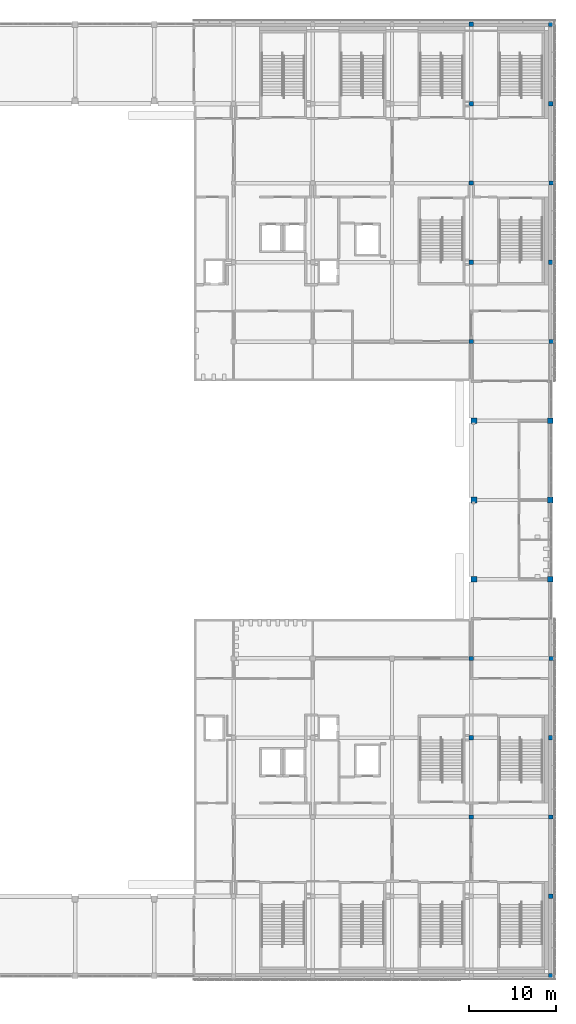
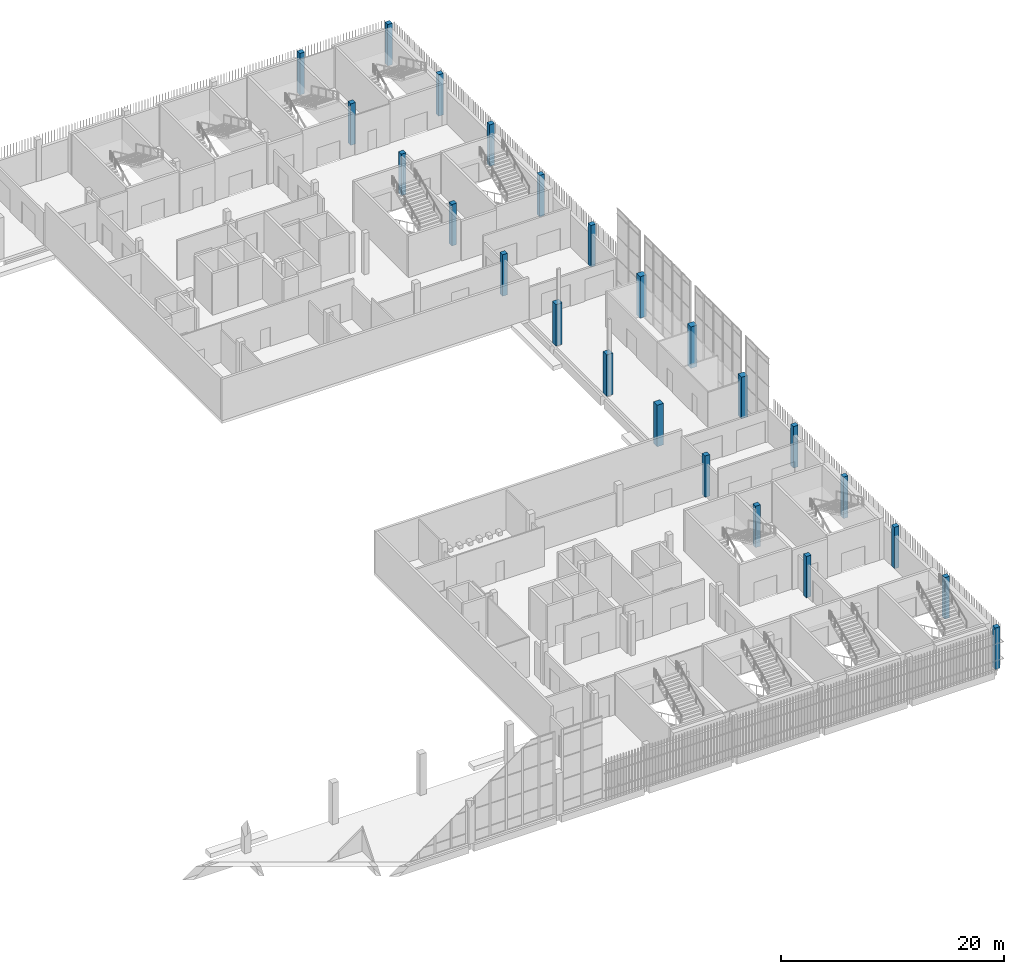
# One storey, part 2 of 91: 24 columns.
"""IFC4 building model written with IfcOpenShell, lengths in metres."""

from ifc_helpers import new_model, si_unit, direction, frame, origin, origin_2d, place, context, subcontext, project, spatial, rectangle, extrude, material, material_profile, profile_set, type_object, element, save


model = new_model("IFC4")

# Units and contexts
model_context = context("Model", 3, precision=1e-05, world=origin(), true_north=direction((0.0, 1.0)))
body_context = subcontext(model_context, "Body", "Model", "MODEL_VIEW")
ifc_project = project(units=[si_unit("LENGTHUNIT", "METRE"), si_unit("AREAUNIT", "SQUARE_METRE"), si_unit("VOLUMEUNIT", "CUBIC_METRE"), si_unit("PLANEANGLEUNIT", "RADIAN"), si_unit("MASSUNIT", "GRAM", prefix="KILO")], contexts=[model_context])

# Site, building, storey
site_placement = place(None, origin())
site = spatial("IfcSite", under=ifc_project, at=site_placement, CompositionType="ELEMENT")
building_placement = place(site_placement, origin())
building = spatial("IfcBuilding", under=site, at=building_placement, Name="Shirokan Park Arena", CompositionType="ELEMENT")
storey_placement = place(building_placement, frame((0.0, 0.0, 24.570068359375)))
storey = spatial("IfcBuildingStorey", under=building, at=storey_placement, Name="L05", CompositionType="ELEMENT", Elevation=24.570068359375)

# Columns
ifc_material = material(Name="Concrete C35", Category="concrete")
ifc_material_profile_1 = material_profile(ifc_material, rectangle(XDim=0.5, YDim=0.5, at=origin_2d()), Name="500x500")
ifc_profile_set_1 = profile_set([ifc_material_profile_1], Name="Concrete C35")
column_type_1 = type_object("IfcColumnType", Name="RC column 500x500", PredefinedType="COLUMN", material=ifc_profile_set_1)
for number, where, z_axis, x_axis, name in (
    (1, (136.5, 18.199951171875, 0.0), (0.0, 0.0, 1.0), (1.0, 0.0, 0.0), "Column 16C L05"),
    (2, (136.5, 27.300048828125, 0.0), (0.0, 0.0, 1.0), (1.0, 0.0, 0.0), "Column 16D L05"),
    (3, (136.5, 36.39990234375, 0.0), (0.0, 0.0, 1.0), (1.0, 0.0, 0.0), "Column 16E L05"),
    (4, (136.5, 72.800048828125, 0.0), (0.0, 0.0, 1.0), (1.0, 0.0, 0.0), "Column 16J L05"),
    (5, (136.5, 81.89990234375, 0.0), (0.0, 0.0, 1.0), (1.0, 0.0, 0.0), "Column 16K L05"),
    (6, (136.5, 91.0, 0.0), (0.0, 0.0, 1.0), (1.0, 0.0, 0.0), "Column 16L L05"),
    (7, (136.5, 100.10009765625, 0.0), (0.0, 0.0, 1.0), (1.0, 0.0, 0.0), "Column 16M L05"),
    (8, (136.5, 109.22509765625, 0.0), (0.0, 0.0, 1.0), (1.0, 0.0, 0.0), "Column 16N L05"),
    (9, (145.60009765625, 0.0, 0.0), (0.0, 0.0, 1.0), (1.0, 0.0, 0.0), "Column 17A L05"),
    (10, (145.625, 9.10009765625, 0.0), (0.0, 0.0, 1.0), (1.0, 0.0, 0.0), "Column 17B L05"),
    (11, (145.64990234375, 18.199951171875, 0.0), (0.0, 0.0, 1.0), (1.0, 0.0, 0.0), "Column 17C L05"),
    (12, (145.60009765625, 27.300048828125, 0.0), (0.0, 0.0, 1.0), (1.0, 0.0, 0.0), "Column 17D L05"),
    (13, (145.675048828125, 36.39990234375, 0.0), (0.0, 0.0, 1.0), (1.0, 0.0, 0.0), "Column 17E L05"),
    (14, (145.675048828125, 72.800048828125, 0.0), (0.0, 0.0, 1.0), (1.0, 0.0, 0.0), "Column 17J L05"),
    (15, (145.60009765625, 81.89990234375, 0.0), (0.0, 0.0, 1.0), (1.0, 0.0, 0.0), "Column 17K L05"),
    (16, (145.675048828125, 91.0, 0.0), (0.0, 0.0, 1.0), (1.0, 0.0, 0.0), "Column 17L L05"),
    (17, (145.625, 100.10009765625, 0.0), (0.0, 0.0, 1.0), (1.0, 0.0, 0.0), "Column 17M L05"),
    (18, (145.60009765625, 109.199951171875, 0.0), (0.0, 0.0, 1.0), (1.0, 0.0, 0.0), "Column 17N L05"),
):
    element("IfcColumn", number, at=place(storey_placement, frame(where, z_axis=z_axis, x_axis=x_axis)), inside=storey, type_object=column_type_1, Name=name, PredefinedType="COLUMN", context=body_context, shape_type="SweptSolid", body=[
        extrude(rectangle(XDim=0.5, YDim=0.5, at=origin_2d()), origin(), (0.0, 0.0, 1.0), 4.550048828125),
    ])
ifc_material_profile_2 = material_profile(ifc_material, rectangle(XDim=0.64990234375, YDim=0.64990234375, at=origin_2d()), Name="650x650")
ifc_profile_set_2 = profile_set([ifc_material_profile_2], Name="Concrete C35")
column_type_2 = type_object("IfcColumnType", Name="RC column 650x650", PredefinedType="COLUMN", material=ifc_profile_set_2)
for number, where, z_axis, x_axis, name in (
    (19, (136.824951171875, 45.5, 0.0), (0.0, 0.0, 1.0), (1.0, 0.0, 0.0), "Column 16F L05"),
    (20, (136.824951171875, 54.60009765625, 0.0), (0.0, 0.0, 1.0), (1.0, 0.0, 0.0), "Column 16G L05"),
    (21, (136.824951171875, 63.699951171875, 0.0), (0.0, 0.0, 1.0), (1.0, 0.0, 0.0), "Column 16H L05"),
    (22, (145.574951171875, 45.5, 0.0), (0.0, 0.0, 1.0), (1.0, 0.0, 0.0), "Column 17F L05"),
    (23, (145.574951171875, 54.60009765625, 0.0), (0.0, 0.0, 1.0), (1.0, 0.0, 0.0), "Column 17G L05"),
    (24, (145.574951171875, 63.699951171875, 0.0), (0.0, 0.0, 1.0), (1.0, 0.0, 0.0), "Column 17H L05"),
):
    element("IfcColumn", number, at=place(storey_placement, frame(where, z_axis=z_axis, x_axis=x_axis)), inside=storey, type_object=column_type_2, Name=name, PredefinedType="COLUMN", context=body_context, shape_type="SweptSolid", body=[
        extrude(rectangle(XDim=0.64990234375, YDim=0.64990234375, at=origin_2d()), origin(), (0.0, 0.0, 1.0), 4.550048828125),
    ])

save(model, "model.ifc")
